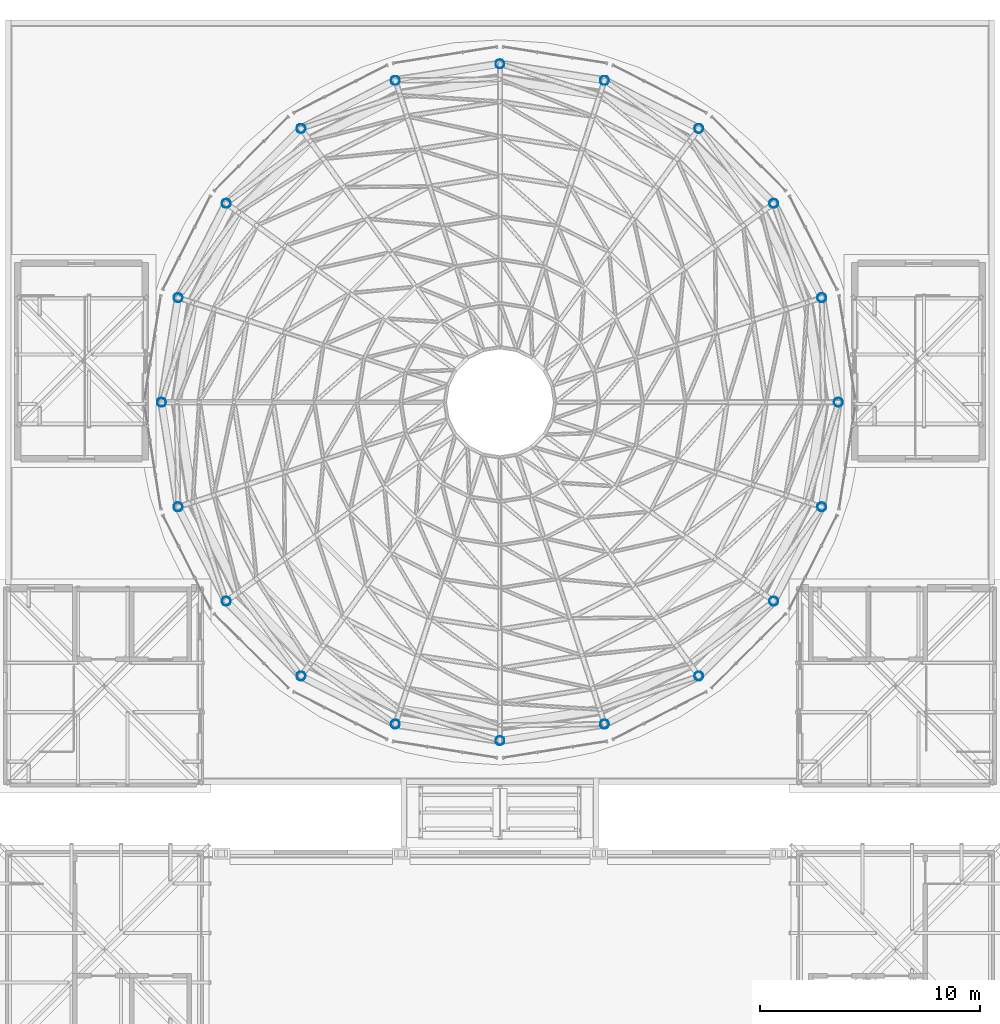
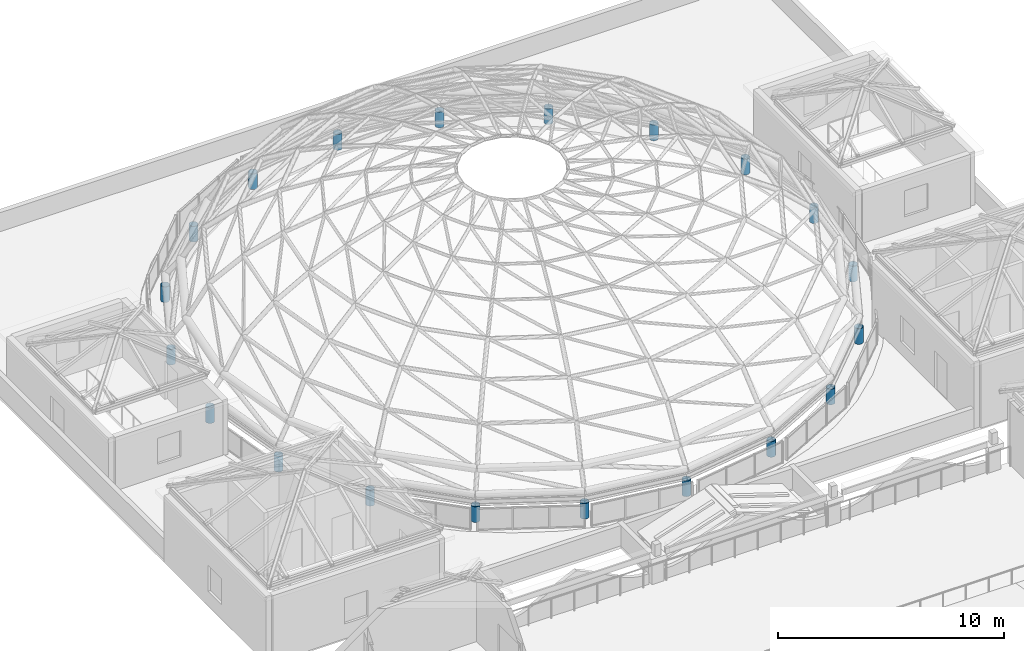
# One storey, part 1 of 69: 20 columns.
"""IFC4 building model written with IfcOpenShell, lengths in metres."""

from ifc_helpers import new_model, si_unit, direction, frame, origin, origin_2d, place, context, subcontext, project, spatial, hollow_circle, extrude, material, material_profile, profile_set, type_object, element, save


model = new_model("IFC4")

# Units and contexts
model_context = context("Model", 3, precision=1e-05, world=origin(), true_north=direction((0.0, 1.0)))
body_context = subcontext(model_context, "Body", "Model", "MODEL_VIEW")
ifc_project = project(units=[si_unit("LENGTHUNIT", "METRE"), si_unit("AREAUNIT", "SQUARE_METRE"), si_unit("VOLUMEUNIT", "CUBIC_METRE"), si_unit("PLANEANGLEUNIT", "RADIAN"), si_unit("MASSUNIT", "GRAM", prefix="KILO")], contexts=[model_context])

# Site, building, storey
site_placement = place(None, origin())
site = spatial("IfcSite", under=ifc_project, at=site_placement, CompositionType="ELEMENT")
building_placement = place(site_placement, origin())
building = spatial("IfcBuilding", under=site, at=building_placement, Name="Kallimachos Central Library", CompositionType="ELEMENT")
storey_placement = place(building_placement, frame((0.0, 0.0, 23.39990234375)))
storey = spatial("IfcBuildingStorey", under=building, at=storey_placement, Name="L05", CompositionType="ELEMENT", Elevation=23.39990234375)

# Columns
ifc_material = material(Name="Steel S355J2H", Category="steel")
ifc_material_profile = material_profile(ifc_material, hollow_circle(Radius=0.203125, WallThickness=0.012451171875, at=origin_2d()), Name="CHS 406.4x12.5")
ifc_profile_set = profile_set([ifc_material_profile], Name="Steel S355J2H")
column_type = type_object("IfcColumnType", Name="CHS 406.4x12.5 column", PredefinedType="COLUMN", material=ifc_profile_set)
for number, where, z_axis, x_axis, name in (
    (1, (103.39990234375, 104.39990234375, 0.0), (0.0, 0.0, 1.0), (1.0, 0.0, 0.0), "V1-COL-L05-001"),
    (2, (102.646240234375, 109.158935546875, 0.0), (0.0, 0.0, 1.0), (1.0, 0.0, 0.0), "V1-COL-L05-002"),
    (3, (100.458984375, 113.451904296875, 0.0), (0.0, 0.0, 1.0), (1.0, 0.0, 0.0), "V1-COL-L05-003"),
    (4, (97.052001953125, 116.85888671875, 0.0), (0.0, 0.0, 1.0), (1.0, 0.0, 0.0), "V1-COL-L05-004"),
    (5, (92.7587890625, 119.04638671875, 0.0), (0.0, 0.0, 1.0), (1.0, 0.0, 0.0), "V1-COL-L05-005"),
    (6, (88.0, 119.800048828125, 0.0), (0.0, 0.0, 1.0), (1.0, 0.0, 0.0), "V1-COL-L05-006"),
    (7, (83.2412109375, 119.04638671875, 0.0), (0.0, 0.0, 1.0), (1.0, 0.0, 0.0), "V1-COL-L05-007"),
    (8, (78.947998046875, 116.85888671875, 0.0), (0.0, 0.0, 1.0), (1.0, 0.0, 0.0), "V1-COL-L05-008"),
    (9, (75.541015625, 113.451904296875, 0.0), (0.0, 0.0, 1.0), (1.0, 0.0, 0.0), "V1-COL-L05-009"),
    (10, (73.353759765625, 109.158935546875, 0.0), (0.0, 0.0, 1.0), (1.0, 0.0, 0.0), "V1-COL-L05-010"),
    (11, (72.60009765625, 104.39990234375, 0.0), (0.0, 0.0, 1.0), (1.0, 0.0, 0.0), "V1-COL-L05-011"),
    (12, (73.353759765625, 99.64111328125, 0.0), (0.0, 0.0, 1.0), (1.0, 0.0, 0.0), "V1-COL-L05-012"),
    (13, (75.541015625, 95.34814453125, 0.0), (0.0, 0.0, 1.0), (1.0, 0.0, 0.0), "V1-COL-L05-013"),
    (14, (78.947998046875, 91.941162109375, 0.0), (0.0, 0.0, 1.0), (1.0, 0.0, 0.0), "V1-COL-L05-014"),
    (15, (83.2412109375, 89.753662109375, 0.0), (0.0, 0.0, 1.0), (1.0, 0.0, 0.0), "V1-COL-L05-015"),
    (16, (88.0, 89.0, 0.0), (0.0, 0.0, 1.0), (1.0, 0.0, 0.0), "V1-COL-L05-016"),
    (17, (92.7587890625, 89.753662109375, 0.0), (0.0, 0.0, 1.0), (1.0, 0.0, 0.0), "V1-COL-L05-017"),
    (18, (97.052001953125, 91.941162109375, 0.0), (0.0, 0.0, 1.0), (1.0, 0.0, 0.0), "V1-COL-L05-018"),
    (19, (100.458984375, 95.34814453125, 0.0), (0.0, 0.0, 1.0), (1.0, 0.0, 0.0), "V1-COL-L05-019"),
    (20, (102.646240234375, 99.64111328125, 0.0), (0.0, 0.0, 1.0), (1.0, 0.0, 0.0), "V1-COL-L05-020"),
):
    element("IfcColumn", number, at=place(storey_placement, frame(where, z_axis=z_axis, x_axis=x_axis)), inside=storey, type_object=column_type, Name=name, PredefinedType="COLUMN", context=body_context, shape_type="SweptSolid", body=[
        extrude(hollow_circle(Radius=0.203125, WallThickness=0.012451171875, at=origin_2d()), origin(), (0.0, 0.0, 1.0), 0.840087890625),
    ])

save(model, "model.ifc")
